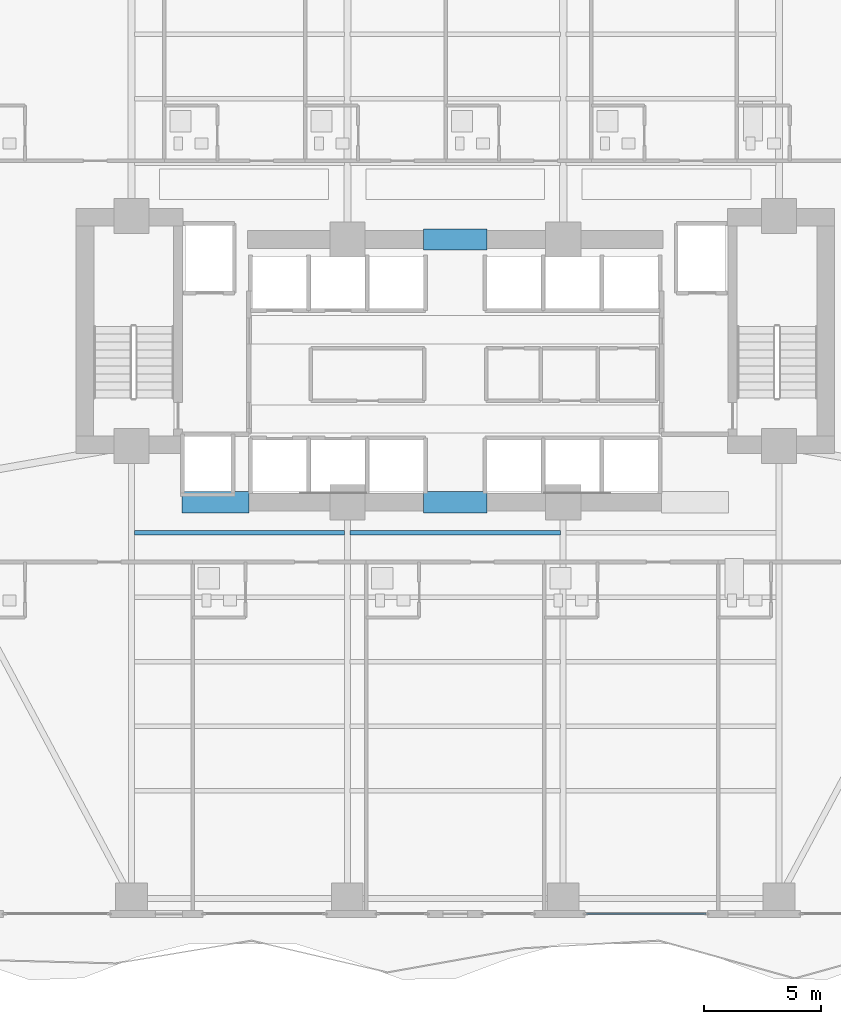
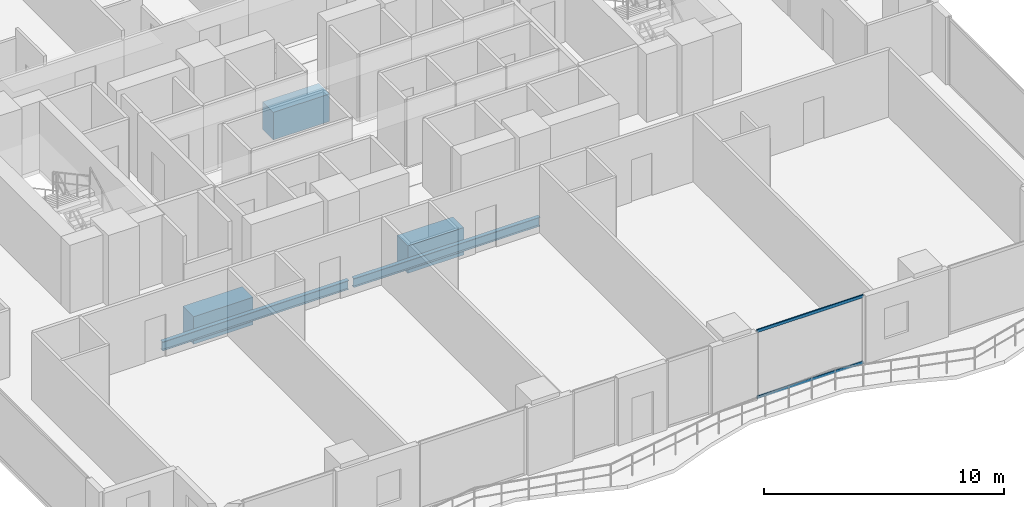
# One storey, part 8 of 28: 5 beams, 2 members, 1 element without a shape of its own.
"""IFC4 building model written with IfcOpenShell, lengths in metres."""

from ifc_helpers import new_model, si_unit, direction, frame, origin, origin_2d, place, context, subcontext, project, spatial, rectangle, hollow_rectangle, i_section, extrude, material, layer, layer_set, material_profile, profile_set, type_object, element, aggregate, save


model = new_model("IFC4")

# Units and contexts
model_context = context("Model", 3, precision=1e-05, world=origin(), true_north=direction((0.0, 1.0)))
body_context = subcontext(model_context, "Body", "Model", "MODEL_VIEW")
ifc_project = project(units=[si_unit("LENGTHUNIT", "METRE"), si_unit("AREAUNIT", "SQUARE_METRE"), si_unit("VOLUMEUNIT", "CUBIC_METRE"), si_unit("PLANEANGLEUNIT", "RADIAN"), si_unit("MASSUNIT", "GRAM", prefix="KILO")], contexts=[model_context])

# Site, building, storey
site_placement = place(None, origin())
site = spatial("IfcSite", under=ifc_project, at=site_placement, CompositionType="ELEMENT")
building_placement = place(site_placement, origin())
building = spatial("IfcBuilding", under=site, at=building_placement, Name="Zuhayl Quay Hotel", CompositionType="ELEMENT")
storey_placement = place(building_placement, frame((0.0, 0.0, 99.300048828125)))
storey = spatial("IfcBuildingStorey", under=building, at=storey_placement, Name="L24", CompositionType="ELEMENT", Elevation=99.300048828125)

# Beams
ifc_material_1 = material(Name="Concrete C60/75", Category="concrete")
ifc_material_profile_1 = material_profile(ifc_material_1, rectangle(XDim=0.89990234375, YDim=1.39990234375, at=origin_2d()), Name="RC900X1400")
ifc_profile_set_1 = profile_set([ifc_material_profile_1], Name="Concrete C60/75")
beam_type_1 = type_object("IfcBeamType", Name="BM_CB1_RC900", PredefinedType="T_BEAM", material=ifc_profile_set_1)
beam_placement = place(storey_placement, frame((-11.64990234375, 2.14990234375, -0.920166015625), z_axis=(1.0, 0.0, 0.0), x_axis=(0.0, 1.0, 0.0)))
element("IfcBeam", 1, at=beam_placement, inside=storey, type_object=beam_type_1, Name="L24 Core Coupling Beam SW", PredefinedType="T_BEAM", context=body_context, shape_type="SweptSolid", body=[
    extrude(rectangle(XDim=0.89990234375, YDim=1.39990234375, at=origin_2d()), origin(), (0.0, 0.0, 1.0), 2.849853515625),
])
for number, where, z_axis, x_axis, name in (
    (2, (-1.35009765625, 13.35009765625, -0.920166015625), (1.0, 0.0, 0.0), (0.0, 1.0, 0.0), "L24 Core Coupling Beam North"),
    (3, (-1.35009765625, 2.14990234375, -0.920166015625), (1.0, 0.0, 0.0), (0.0, 1.0, 0.0), "L24 Core Coupling Beam South"),
):
    element("IfcBeam", number, at=place(storey_placement, frame(where, z_axis=z_axis, x_axis=x_axis)), inside=storey, type_object=beam_type_1, Name=name, PredefinedType="T_BEAM", context=body_context, shape_type="SweptSolid", body=[
        extrude(rectangle(XDim=0.89990234375, YDim=1.39990234375, at=origin_2d()), origin(), (0.0, 0.0, 1.0), 2.7001953125),
    ])
ifc_material_2 = material(Name="Steel ASTM A992 Grade 50", Category="steel")
ifc_material_profile_2 = material_profile(ifc_material_2, i_section(OverallWidth=0.18994140625, OverallDepth=0.45703125, WebThickness=0.009033203125, FlangeThickness=0.014404296875, at=origin_2d()), Name="W18X50")
ifc_profile_set_2 = profile_set([ifc_material_profile_2], Name="Steel ASTM A992 Grade 50")
beam_type_2 = type_object("IfcBeamType", Name="BM_J2_W18X50", PredefinedType="JOIST", material=ifc_profile_set_2)
for number, where, z_axis, x_axis, name in (
    (4, (-13.680908203125, 0.85009765625, -0.448486328125), (1.0, 0.0, 0.0), (0.0, 1.0, 0.0), "L24 Floor Beam FJ_L24_9_1"),
    (5, (-4.48095703125, 0.85009765625, -0.448486328125), (1.0, 0.0, 0.0), (0.0, 1.0, 0.0), "L24 Floor Beam FJ_L24_9_2"),
):
    element("IfcBeam", number, at=place(storey_placement, frame(where, z_axis=z_axis, x_axis=x_axis)), inside=storey, type_object=beam_type_2, Name=name, PredefinedType="JOIST", context=body_context, shape_type="SweptSolid", body=[
        extrude(i_section(OverallWidth=0.18994140625, OverallDepth=0.45703125, WebThickness=0.009033203125, FlangeThickness=0.014404296875, at=origin_2d()), origin(), (0.0, 0.0, 1.0), 8.9619140625),
    ])

# Curtain wall, members
ifc_material_3 = material(Name="Anodised Aluminium 6063-T6", Category="aluminium")
ifc_layer = layer(ifc_material_3, 0.179931640625, Name="Anodised Aluminium 6063-T6", Category="aluminium")
ifc_layer_set = layer_set([ifc_layer], Name="Anodised Aluminium 6063-T6")
curtain_wall_type = type_object("IfcCurtainWallType", Name="CW_SYS_Z2", PredefinedType="USERDEFINED", material=ifc_layer_set)
curtain_wall_placement = place(storey_placement, origin())
curtain_wall = element("IfcCurtainWall", 6, at=curtain_wall_placement, inside=storey, type_object=curtain_wall_type, Name="L24 Curtain Wall ENV_L24_S_CW2", ObjectType="UNITISED CURTAIN WALL", PredefinedType="USERDEFINED")
ifc_material_4 = material(Name="Black-anodised aluminium 6063-T6", Category="aluminium")
ifc_material_profile_3 = material_profile(ifc_material_4, hollow_rectangle(XDim=0.06005859375, YDim=0.14990234375, WallThickness=0.00341796875, at=origin_2d()), Name="ALU150X60")
ifc_profile_set_3 = profile_set([ifc_material_profile_3], Name="Black-anodised aluminium 6063-T6")
member_type = type_object("IfcMemberType", Name="MB_CW_TRN_150", PredefinedType="USERDEFINED", material=ifc_profile_set_3)
member_1_placement = place(storey_placement, frame((10.68505859375, -15.39990234375, 0.030029296875), z_axis=(-1.0, 0.0, 0.0), x_axis=(0.0, -1.0, 0.0)))
member_1 = element("IfcMember", 7, at=member_1_placement, type_object=member_type, Name="CW-Z2 transom 1.1", ObjectType="TRANSOM", PredefinedType="USERDEFINED", context=body_context, shape_type="SweptSolid", body=[
    extrude(hollow_rectangle(XDim=0.06005859375, YDim=0.14990234375, WallThickness=0.00341796875, at=origin_2d()), origin(), (0.0, 0.0, 1.0), 5.10009765625),
])
member_2_placement = place(storey_placement, frame((10.68505859375, -15.39990234375, 3.39990234375), z_axis=(-1.0, 0.0, 0.0), x_axis=(0.0, -1.0, 0.0)))
member_2 = element("IfcMember", 8, at=member_2_placement, type_object=member_type, Name="CW-Z2 transom 1.2", ObjectType="TRANSOM", PredefinedType="USERDEFINED", context=body_context, shape_type="SweptSolid", body=[
    extrude(hollow_rectangle(XDim=0.06005859375, YDim=0.14990234375, WallThickness=0.00341796875, at=origin_2d()), origin(), (0.0, 0.0, 1.0), 5.10009765625),
])
aggregate(curtain_wall, [member_1, member_2])

save(model, "model.ifc")
